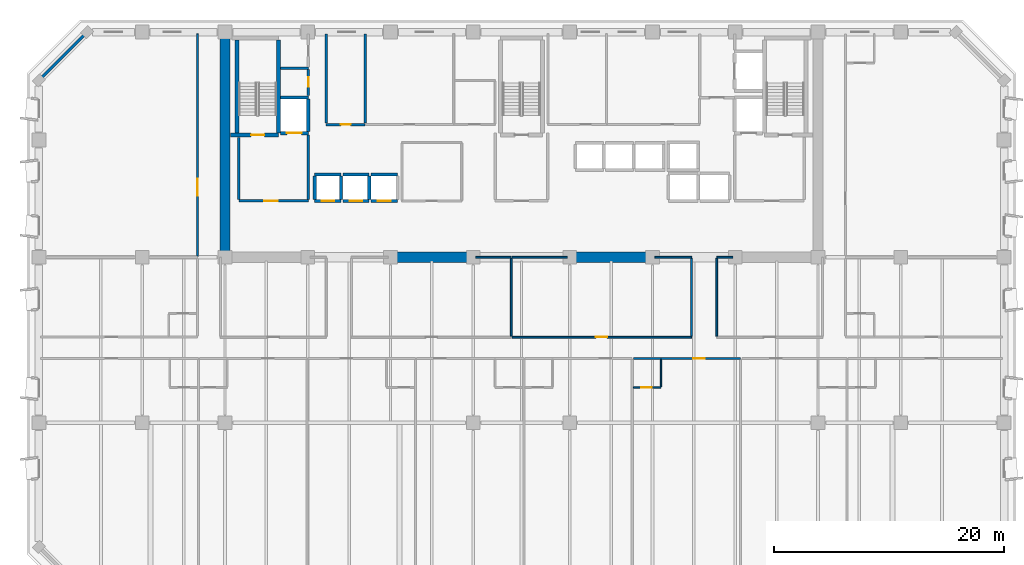
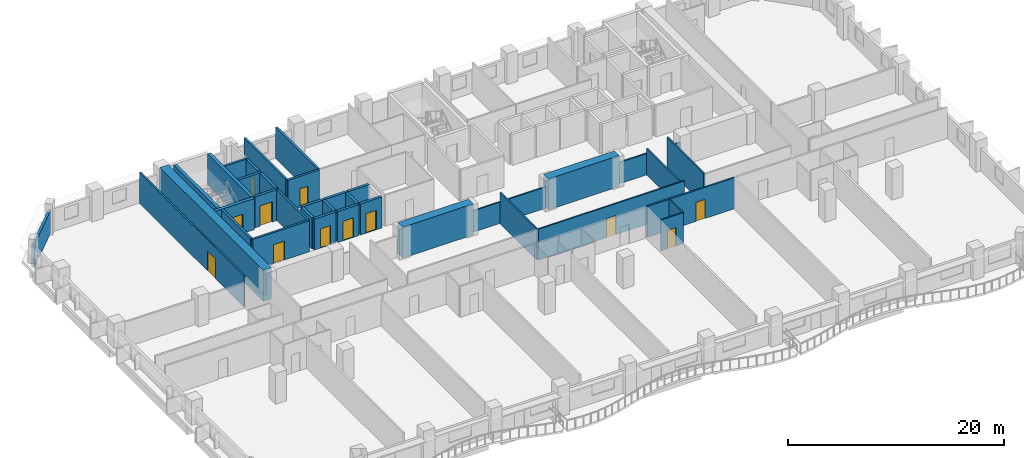
# One storey, part 6 of 14: 39 walls, 12 doors, 12 openings.
"""IFC4 building model written with IfcOpenShell, lengths in metres."""

from ifc_helpers import new_model, si_unit, direction, frame, frame_2d, origin, place, context, subcontext, project, spatial, rectangle, extrude, material, layer, layer_set, type_object, element, fill, save


model = new_model("IFC4")

# Units and contexts
model_context = context("Model", 3, precision=1e-05, world=origin(), true_north=direction((0.0, 1.0)))
body_context = subcontext(model_context, "Body", "Model", "MODEL_VIEW")
ifc_project = project(units=[si_unit("LENGTHUNIT", "METRE"), si_unit("AREAUNIT", "SQUARE_METRE"), si_unit("VOLUMEUNIT", "CUBIC_METRE"), si_unit("PLANEANGLEUNIT", "RADIAN"), si_unit("MASSUNIT", "GRAM", prefix="KILO")], contexts=[model_context])

# Site, building, storey
site_placement = place(None, origin())
site = spatial("IfcSite", under=ifc_project, at=site_placement, CompositionType="ELEMENT")
building_placement = place(site_placement, origin())
building = spatial("IfcBuilding", under=site, at=building_placement, Name="Kaelvorn Grand Hotel", CompositionType="ELEMENT")
storey_placement = place(building_placement, frame((0.0, 0.0, 85.550048828125)))
storey = spatial("IfcBuildingStorey", under=building, at=storey_placement, Name="L19", CompositionType="ELEMENT", Elevation=85.550048828125)

# Walls
ifc_material_1 = material(Name="Concrete C60/75", Category="concrete")
ifc_layer_1 = layer(ifc_material_1, 0.89990234375)
ifc_layer_set_1 = layer_set([ifc_layer_1], Name="Concrete C60/75")
wall_type_1 = type_object("IfcWallType", Name="WL-CORE-900-C60", PredefinedType="SHEAR", material=ifc_layer_set_1)
wall_1_placement = place(storey_placement, frame((16.199951171875, 29.39990234375, 0.0), z_axis=(0.0, 0.0, 1.0), x_axis=(0.0, 1.0, 0.0)))
element("IfcWall", 1, at=wall_1_placement, inside=storey, type_object=wall_type_1, Name="L19 Rear-Core West Shear Wall", PredefinedType="SHEAR", context=body_context, shape_type="SweptSolid", body=[
    extrude(rectangle(XDim=19.2001953125, YDim=0.89990234375, at=frame_2d((9.60009765625, 0.0))), origin(), (0.0, 0.0, 1.0), 3.510009765625),
])
for number, where, z_axis, x_axis, name in (
    (2, (30.39990234375, 29.39990234375, 0.0), (0.0, 0.0, 1.0), (1.0, 0.0, 0.0), "L19 Rear-Core Coupled Shear Pier S2"),
    (3, (46.0, 29.39990234375, 0.0), (0.0, 0.0, 1.0), (1.0, 0.0, 0.0), "L19 Rear-Core Coupled Shear Pier S3"),
):
    element("IfcWall", number, at=place(storey_placement, frame(where, z_axis=z_axis, x_axis=x_axis)), inside=storey, type_object=wall_type_1, Name=name, PredefinedType="SHEAR", context=body_context, shape_type="SweptSolid", body=[
        extrude(rectangle(XDim=7.60009765625, YDim=0.89990234375, at=frame_2d((3.800048828125, 0.0))), origin(), (0.0, 0.0, 1.0), 3.510009765625),
    ])
ifc_material_2 = material(Name="Concrete C40/50", Category="concrete")
ifc_layer_2 = layer(ifc_material_2, 0.260009765625)
ifc_layer_set_2 = layer_set([ifc_layer_2], Name="Concrete C40/50")
wall_type_2 = type_object("IfcWallType", Name="WL-EXT-260-C40", PredefinedType="SOLIDWALL", material=ifc_layer_set_2)
wall_2_placement = place(storey_placement, frame((4.199951171875, 49.0, 0.0), z_axis=(0.0, 0.0, 1.0), x_axis=(-0.707106781187, -0.707106781187, 0.0)))
element("IfcWall", 4, at=wall_2_placement, inside=storey, type_object=wall_type_2, Name="L19 Exterior Architectural Concrete Wall 06", PredefinedType="SOLIDWALL", context=body_context, shape_type="SweptSolid", body=[
    extrude(rectangle(XDim=5.939697265625, YDim=0.260009765625, at=frame_2d((2.9697265625, 0.0))), origin(), (0.0, 0.0, 1.0), 2.56005859375),
])

# Wall, opening, door
ifc_material_3 = material(Name="Moisture-Resistant Tile & Stud Board")
ifc_layer_3 = layer(ifc_material_3, 0.125)
ifc_layer_set_3 = layer_set([ifc_layer_3], Name="Moisture-Resistant Tile & Stud Board")
wall_type_3 = type_object("IfcWallType", Name="WL-PART-125-WET", PredefinedType="PARTITIONING", material=ifc_layer_set_3)
wall_3_placement = place(storey_placement, frame((51.7333984375, 18.050048828125, 0.0), z_axis=(0.0, 0.0, 1.0), x_axis=(1.0, 0.0, 0.0)))
wall_3 = element("IfcWall", 5, at=wall_3_placement, inside=storey, type_object=wall_type_3, Name="L19 En-suite Bathroom L19-06 S Partition", PredefinedType="PARTITIONING", context=body_context, shape_type="SweptSolid", body=[
    extrude(rectangle(XDim=2.405029296875, YDim=0.125, at=frame_2d((1.20263671875, 0.0))), origin(), (0.0, 0.0, 1.0), 3.510009765625),
])
opening_1_placement = place(wall_3_placement, frame((0.705078125, 0.0, 0.0)))
opening_1 = element("IfcOpeningElement", 6, at=opening_1_placement, cuts=wall_3, Name="Opening DI4", PredefinedType="OPENING", context=body_context, shape_type="SweptSolid", body=[
    extrude(rectangle(XDim=0.89990234375, YDim=2.10009765625, at=frame_2d((0.449951171875, 1.050048828125))), frame((0.0, 0.072509765625, 0.0), z_axis=(0.0, -1.0, 0.0), x_axis=(1.0, 0.0, 0.0)), (0.0, 0.0, 1.0), 0.14501953125),
])
ifc_material_4 = material(Name="Timber Veneer Leaf", Category="wood")
door_type_1 = type_object("IfcDoorType", Name="DR-INT-BATH-900x2100", OperationType="NOTDEFINED", PredefinedType="DOOR", material=ifc_material_4)
door_1_placement = place(opening_1_placement, origin())
door_1 = element("IfcDoor", 7, at=door_1_placement, inside=storey, type_object=door_type_1, Name="L19 En-suite Bathroom L19-06 Door", OperationType="SINGLE_SWING_LEFT", OverallHeight=2.10009765625, OverallWidth=0.89990234375, PredefinedType="DOOR", context=body_context, shape_type="SweptSolid", body=[
    extrude(rectangle(XDim=0.89990234375, YDim=2.10009765625, at=frame_2d((0.449951171875, 1.050048828125))), frame((0.0, 0.02490234375, 0.0), z_axis=(0.0, -1.0, 0.0), x_axis=(1.0, 0.0, 0.0)), (0.0, 0.0, 1.0), 0.050048828125),
])
fill(opening_1, door_1)

# Walls
wall_4_placement = place(storey_placement, frame((54.138427734375, 18.117431640625, 0.0), z_axis=(0.0, 0.0, 1.0), x_axis=(0.0, 1.0, 0.0)))
element("IfcWall", 8, at=wall_4_placement, inside=storey, type_object=wall_type_3, Name="L19 En-suite Bathroom L19-06 E Partition", PredefinedType="PARTITIONING", context=body_context, shape_type="SweptSolid", body=[
    extrude(rectangle(XDim=2.387451171875, YDim=0.125, at=frame_2d((1.19384765625, 0.0))), origin(), (0.0, 0.0, 1.0), 3.510009765625),
])
ifc_material_5 = material(Name="Acoustic Gypsum & Stud Partition")
ifc_layer_4 = layer(ifc_material_5, 0.14990234375)
ifc_layer_set_4 = layer_set([ifc_layer_4], Name="Acoustic Gypsum & Stud Partition")
wall_type_4 = type_object("IfcWallType", Name="WL-PART-150-EI60", PredefinedType="PARTITIONING", material=ifc_layer_set_4)
wall_5_placement = place(storey_placement, frame((38.010009765625, 29.39990234375, 0.0), z_axis=(0.0, 0.0, 1.0), x_axis=(1.0, 0.0, 0.0)))
element("IfcWall", 9, at=wall_5_placement, inside=storey, type_object=wall_type_4, Name="L19 Pastry & Tea Kitchen N Partition (2)", PredefinedType="PARTITIONING", context=body_context, shape_type="SweptSolid", body=[
    extrude(rectangle(XDim=3.090087890625, YDim=0.14990234375, at=frame_2d((1.544921875, 0.0))), origin(), (0.0, 0.0, 1.0), 2.409912109375),
])
wall_6_placement = place(storey_placement, frame((41.10009765625, 22.530029296875, 0.0), z_axis=(0.0, 0.0, 1.0), x_axis=(0.0, 1.0, 0.0)))
element("IfcWall", 10, at=wall_6_placement, inside=storey, type_object=wall_type_4, Name="L19 Pastry & Tea Kitchen E Partition", PredefinedType="PARTITIONING", context=body_context, shape_type="SweptSolid", body=[
    extrude(rectangle(XDim=6.7900390625, YDim=0.14990234375, at=frame_2d((3.39501953125, 0.0))), origin(), (0.0, 0.0, 1.0), 3.510009765625),
])

# Wall, opening, door
wall_7_placement = place(storey_placement, frame((41.179931640625, 22.449951171875, 0.0), z_axis=(0.0, 0.0, 1.0), x_axis=(1.0, 0.0, 0.0)))
wall_7 = element("IfcWall", 11, at=wall_7_placement, inside=storey, type_object=wall_type_4, Name="L19 Family Sitting Room S Partition", PredefinedType="PARTITIONING", context=body_context, shape_type="SweptSolid", body=[
    extrude(rectangle(XDim=15.6201171875, YDim=0.14990234375, at=frame_2d((7.81005859375, 0.0))), origin(), (0.0, 0.0, 1.0), 3.510009765625),
])
opening_2_placement = place(wall_7_placement, frame((7.27001953125, 0.0, 0.0)))
opening_2 = element("IfcOpeningElement", 12, at=opening_2_placement, cuts=wall_7, Name="Opening DI3", PredefinedType="OPENING", context=body_context, shape_type="SweptSolid", body=[
    extrude(rectangle(XDim=1.0, YDim=2.14990234375, at=frame_2d((0.5, 1.074951171875))), frame((0.0, 0.0849609375, 0.0), z_axis=(0.0, -1.0, 0.0), x_axis=(1.0, 0.0, 0.0)), (0.0, 0.0, 1.0), 0.169921875),
])
ifc_material_6 = material(Name="Timber Veneer Fire Leaf", Category="wood")
door_type_2 = type_object("IfcDoorType", Name="DR-INT-GUEST-1000x2150", OperationType="NOTDEFINED", PredefinedType="DOOR", material=ifc_material_6)
door_2_placement = place(opening_2_placement, origin())
door_2 = element("IfcDoor", 13, at=door_2_placement, inside=storey, type_object=door_type_2, Name="L19 Family Sitting Room Door", OperationType="SINGLE_SWING_RIGHT", OverallHeight=2.14990234375, OverallWidth=1.0, PredefinedType="DOOR", context=body_context, shape_type="SweptSolid", body=[
    extrude(rectangle(XDim=1.0, YDim=2.14990234375, at=frame_2d((0.5, 1.074951171875))), frame((0.0, 0.02490234375, 0.0), z_axis=(0.0, -1.0, 0.0), x_axis=(1.0, 0.0, 0.0)), (0.0, 0.0, 1.0), 0.050048828125),
])
fill(opening_2, door_2)

# Walls
wall_8_placement = place(storey_placement, frame((41.179931640625, 29.39990234375, 0.0), z_axis=(0.0, 0.0, 1.0), x_axis=(1.0, 0.0, 0.0)))
element("IfcWall", 14, at=wall_8_placement, inside=storey, type_object=wall_type_4, Name="L19 Family Sitting Room N Partition (1)", PredefinedType="PARTITIONING", context=body_context, shape_type="SweptSolid", body=[
    extrude(rectangle(XDim=4.81005859375, YDim=0.14990234375, at=frame_2d((2.405029296875, 0.0))), origin(), (0.0, 0.0, 1.0), 2.409912109375),
])
wall_9_placement = place(storey_placement, frame((53.610107421875, 29.39990234375, 0.0), z_axis=(0.0, 0.0, 1.0), x_axis=(1.0, 0.0, 0.0)))
element("IfcWall", 15, at=wall_9_placement, inside=storey, type_object=wall_type_4, Name="L19 Family Sitting Room N Partition (2)", PredefinedType="PARTITIONING", context=body_context, shape_type="SweptSolid", body=[
    extrude(rectangle(XDim=3.18994140625, YDim=0.14990234375, at=frame_2d((1.594970703125, 0.0))), origin(), (0.0, 0.0, 1.0), 2.409912109375),
])
wall_10_placement = place(storey_placement, frame((56.800048828125, 22.530029296875, 0.0), z_axis=(0.0, 0.0, 1.0), x_axis=(0.0, 1.0, 0.0)))
element("IfcWall", 16, at=wall_10_placement, inside=storey, type_object=wall_type_4, Name="L19 Family Sitting Room E Partition", PredefinedType="PARTITIONING", context=body_context, shape_type="SweptSolid", body=[
    extrude(rectangle(XDim=6.7900390625, YDim=0.14990234375, at=frame_2d((3.39501953125, 0.0))), origin(), (0.0, 0.0, 1.0), 2.976806640625),
])
wall_11_placement = place(storey_placement, frame((59.0, 29.39990234375, 0.0), z_axis=(0.0, 0.0, 1.0), x_axis=(1.0, 0.0, 0.0)))
element("IfcWall", 17, at=wall_11_placement, inside=storey, type_object=wall_type_4, Name="L19 VIP Dining Restaurant N Partition", PredefinedType="PARTITIONING", context=body_context, shape_type="SweptSolid", body=[
    extrude(rectangle(XDim=1.389892578125, YDim=0.14990234375, at=frame_2d((0.69482421875, 0.0))), origin(), (0.0, 0.0, 1.0), 2.409912109375),
])
wall_12_placement = place(storey_placement, frame((59.0, 22.530029296875, 0.0), z_axis=(0.0, 0.0, 1.0), x_axis=(0.0, 1.0, 0.0)))
element("IfcWall", 18, at=wall_12_placement, inside=storey, type_object=wall_type_4, Name="L19 VIP Dining Restaurant W Partition", PredefinedType="PARTITIONING", context=body_context, shape_type="SweptSolid", body=[
    extrude(rectangle(XDim=6.7900390625, YDim=0.14990234375, at=frame_2d((3.39501953125, 0.0))), origin(), (0.0, 0.0, 1.0), 3.510009765625),
])

# Wall, opening, door
wall_13_placement = place(storey_placement, frame((13.800048828125, 29.4951171875, 0.0), z_axis=(0.0, 0.0, 1.0), x_axis=(0.0, 1.0, 0.0)))
wall_13 = element("IfcWall", 19, at=wall_13_placement, inside=storey, type_object=wall_type_4, Name="L19 North-West Family Sitting Room E Partition", PredefinedType="PARTITIONING", context=body_context, shape_type="SweptSolid", body=[
    extrude(rectangle(XDim=19.35498046875, YDim=0.14990234375, at=frame_2d((9.677490234375, 0.0))), origin(), (0.0, 0.0, 1.0), 3.510009765625),
])
opening_3_placement = place(wall_13_placement, frame((5.2548828125, 0.0, 0.0)))
opening_3 = element("IfcOpeningElement", 20, at=opening_3_placement, cuts=wall_13, Name="Opening DI5", PredefinedType="OPENING", context=body_context, shape_type="SweptSolid", body=[
    extrude(rectangle(XDim=1.5, YDim=2.25, at=frame_2d((0.75, 1.125))), frame((0.0, 0.0849609375, 0.0), z_axis=(0.0, -1.0, 0.0), x_axis=(1.0, 0.0, 0.0)), (0.0, 0.0, 1.0), 0.169921875),
])
door_type_3 = type_object("IfcDoorType", Name="DR-INT-SALON-1500x2250", OperationType="DOUBLE_DOOR_SINGLE_SWING", PredefinedType="DOOR", material=ifc_material_6)
door_3_placement = place(opening_3_placement, origin())
door_3 = element("IfcDoor", 21, at=door_3_placement, inside=storey, type_object=door_type_3, Name="L19 North-West Family Sitting Room Door", OperationType="DOUBLE_DOOR_SINGLE_SWING", OverallHeight=2.25, OverallWidth=1.5, PredefinedType="DOOR", context=body_context, shape_type="SweptSolid", body=[
    extrude(rectangle(XDim=1.5, YDim=2.25, at=frame_2d((0.75, 1.125))), frame((0.0, 0.02490234375, 0.0), z_axis=(0.0, -1.0, 0.0), x_axis=(1.0, 0.0, 0.0)), (0.0, 0.0, 1.0), 0.050048828125),
])
fill(opening_3, door_3)

ifc_layer_5 = layer(ifc_material_5, 0.179931640625)
ifc_layer_set_5 = layer_set([ifc_layer_5], Name="Acoustic Gypsum & Stud Partition")
wall_type_5 = type_object("IfcWallType", Name="WL-PART-180-EI60", PredefinedType="PARTITIONING", material=ifc_layer_set_5)
wall_14_placement = place(storey_placement, frame((51.7333984375, 20.60009765625, 0.0), z_axis=(0.0, 0.0, 1.0), x_axis=(1.0, 0.0, 0.0)))
wall_14 = element("IfcWall", 22, at=wall_14_placement, inside=storey, type_object=wall_type_5, Name="L19 Deluxe Panoramic Suite L19-06 N Partition", PredefinedType="PARTITIONING", context=body_context, shape_type="SweptSolid", body=[
    extrude(rectangle(XDim=9.3427734375, YDim=0.179931640625, at=frame_2d((4.67138671875, 0.0))), origin(), (0.0, 0.0, 1.0), 3.510009765625),
])
opening_4_placement = place(wall_14_placement, frame((5.19580078125, 0.0, 0.0)))
opening_4 = element("IfcOpeningElement", 23, at=opening_4_placement, cuts=wall_14, Name="Opening DI3", PredefinedType="OPENING", context=body_context, shape_type="SweptSolid", body=[
    extrude(rectangle(XDim=1.0, YDim=2.14990234375, at=frame_2d((0.5, 1.074951171875))), frame((0.0, 0.10009765625, 0.0), z_axis=(0.0, -1.0, 0.0), x_axis=(1.0, 0.0, 0.0)), (0.0, 0.0, 1.0), 0.199951171875),
])
door_4_placement = place(opening_4_placement, origin())
door_4 = element("IfcDoor", 24, at=door_4_placement, inside=storey, type_object=door_type_2, Name="L19 Deluxe Panoramic Suite L19-06 Door", OperationType="SINGLE_SWING_RIGHT", OverallHeight=2.14990234375, OverallWidth=1.0, PredefinedType="DOOR", context=body_context, shape_type="SweptSolid", body=[
    extrude(rectangle(XDim=1.0, YDim=2.14990234375, at=frame_2d((0.5, 1.074951171875))), frame((0.0, 0.02490234375, 0.0), z_axis=(0.0, -1.0, 0.0), x_axis=(1.0, 0.0, 0.0)), (0.0, 0.0, 1.0), 0.050048828125),
])
fill(opening_4, door_4)

ifc_layer_6 = layer(ifc_material_2, 0.219970703125)
ifc_layer_set_6 = layer_set([ifc_layer_6], Name="Concrete C40/50")
wall_type_6 = type_object("IfcWallType", Name="WL-PART-220-EI120", PredefinedType="PARTITIONING", material=ifc_layer_set_6)
wall_15_placement = place(storey_placement, frame((17.39990234375, 34.300048828125, 0.0), z_axis=(0.0, 0.0, 1.0), x_axis=(1.0, 0.0, 0.0)))
wall_15 = element("IfcWall", 25, at=wall_15_placement, inside=storey, type_object=wall_type_6, Name="L19 Firefighting Lift Lobby 1 S Partition", PredefinedType="PARTITIONING", context=body_context, shape_type="SweptSolid", body=[
    extrude(rectangle(XDim=6.050048828125, YDim=0.219970703125, at=frame_2d((3.02490234375, 0.0))), origin(), (0.0, 0.0, 1.0), 3.510009765625),
])
opening_5_placement = place(wall_15_placement, frame((2.199951171875, 0.0, 0.0)))
opening_5 = element("IfcOpeningElement", 26, at=opening_5_placement, cuts=wall_15, Name="Opening DI2", PredefinedType="OPENING", context=body_context, shape_type="SweptSolid", body=[
    extrude(rectangle(XDim=1.199951171875, YDim=2.14990234375, at=frame_2d((0.60009765625, 1.074951171875))), frame((0.0, 0.1201171875, 0.0), z_axis=(0.0, -1.0, 0.0), x_axis=(1.0, 0.0, 0.0)), (0.0, 0.0, 1.0), 0.239990234375),
])
door_type_4 = type_object("IfcDoorType", Name="DR-INT-FFLOB-1200x2150", OperationType="NOTDEFINED", PredefinedType="DOOR", material=ifc_material_6)
door_5_placement = place(opening_5_placement, origin())
door_5 = element("IfcDoor", 27, at=door_5_placement, inside=storey, type_object=door_type_4, Name="L19 Firefighting Lift Lobby 1 Door", OperationType="SINGLE_SWING_RIGHT", OverallHeight=2.14990234375, OverallWidth=1.199951171875, PredefinedType="DOOR", context=body_context, shape_type="SweptSolid", body=[
    extrude(rectangle(XDim=1.199951171875, YDim=2.14990234375, at=frame_2d((0.60009765625, 1.074951171875))), frame((0.0, 0.02490234375, 0.0), z_axis=(0.0, -1.0, 0.0), x_axis=(1.0, 0.0, 0.0)), (0.0, 0.0, 1.0), 0.050048828125),
])
fill(opening_5, door_5)

# Walls
wall_16_placement = place(storey_placement, frame((17.39990234375, 34.4150390625, 0.0), z_axis=(0.0, 0.0, 1.0), x_axis=(0.0, 1.0, 0.0)))
element("IfcWall", 28, at=wall_16_placement, inside=storey, type_object=wall_type_6, Name="L19 Firefighting Lift Lobby 1 W Partition", PredefinedType="PARTITIONING", context=body_context, shape_type="SweptSolid", body=[
    extrude(rectangle(XDim=5.429931640625, YDim=0.219970703125, at=frame_2d((2.71484375, 0.0))), origin(), (0.0, 0.0, 1.0), 3.510009765625),
])
wall_17_placement = place(storey_placement, frame((23.449951171875, 34.4150390625, 0.0), z_axis=(0.0, 0.0, 1.0), x_axis=(0.0, 1.0, 0.0)))
element("IfcWall", 29, at=wall_17_placement, inside=storey, type_object=wall_type_6, Name="L19 Firefighting Lift Lobby 1 E Partition", PredefinedType="PARTITIONING", context=body_context, shape_type="SweptSolid", body=[
    extrude(rectangle(XDim=5.639892578125, YDim=0.219970703125, at=frame_2d((2.81982421875, 0.0))), origin(), (0.0, 0.0, 1.0), 3.510009765625),
])
wall_18_placement = place(storey_placement, frame((21.034912109375, 45.85009765625, 0.0), z_axis=(0.0, 0.0, 1.0), x_axis=(1.0, 0.0, 0.0)))
element("IfcWall", 30, at=wall_18_placement, inside=storey, type_object=wall_type_6, Name="L19 Wet Fire & Plumbing Riser Shaft N Partition", PredefinedType="PARTITIONING", context=body_context, shape_type="SweptSolid", body=[
    extrude(rectangle(XDim=2.4150390625, YDim=0.219970703125, at=frame_2d((1.20751953125, 0.0))), origin(), (0.0, 0.0, 1.0), 3.510009765625),
])

# Wall, opening, door
wall_19_placement = place(storey_placement, frame((23.449951171875, 43.5, 0.0), z_axis=(0.0, 0.0, 1.0), x_axis=(0.0, 1.0, 0.0)))
wall_19 = element("IfcWall", 31, at=wall_19_placement, inside=storey, type_object=wall_type_6, Name="L19 Wet Fire & Plumbing Riser Shaft E Partition", PredefinedType="PARTITIONING", context=body_context, shape_type="SweptSolid", body=[
    extrude(rectangle(XDim=2.235107421875, YDim=0.219970703125, at=frame_2d((1.11767578125, 0.0))), origin(), (0.0, 0.0, 1.0), 3.510009765625),
])
opening_6_placement = place(wall_19_placement, frame((0.72509765625, 0.0, 0.0)))
opening_6 = element("IfcOpeningElement", 32, at=opening_6_placement, cuts=wall_19, Name="Opening DI7", PredefinedType="OPENING", context=body_context, shape_type="SweptSolid", body=[
    extrude(rectangle(XDim=0.85009765625, YDim=2.10009765625, at=frame_2d((0.425048828125, 1.050048828125))), frame((0.0, 0.1201171875, 0.0), z_axis=(0.0, -1.0, 0.0), x_axis=(1.0, 0.0, 0.0)), (0.0, 0.0, 1.0), 0.239990234375),
])
ifc_material_7 = material(Name="Powder-Coated Steel Leaf", Category="steel")
door_type_5 = type_object("IfcDoorType", Name="DR-INT-RISER-850x2100", OperationType="NOTDEFINED", PredefinedType="DOOR", material=ifc_material_7)
door_6_placement = place(opening_6_placement, origin())
door_6 = element("IfcDoor", 33, at=door_6_placement, inside=storey, type_object=door_type_5, Name="L19 Wet Fire & Plumbing Riser Shaft Door", OperationType="SINGLE_SWING_RIGHT", OverallHeight=2.10009765625, OverallWidth=0.85009765625, PredefinedType="DOOR", context=body_context, shape_type="SweptSolid", body=[
    extrude(rectangle(XDim=0.85009765625, YDim=2.10009765625, at=frame_2d((0.425048828125, 1.050048828125))), frame((0.0, 0.02490234375, 0.0), z_axis=(0.0, -1.0, 0.0), x_axis=(1.0, 0.0, 0.0)), (0.0, 0.0, 1.0), 0.050048828125),
])
fill(opening_6, door_6)

wall_20_placement = place(storey_placement, frame((25.0, 40.949951171875, 0.0), z_axis=(0.0, 0.0, 1.0), x_axis=(1.0, 0.0, 0.0)))
wall_20 = element("IfcWall", 34, at=wall_20_placement, inside=storey, type_object=wall_type_6, Name="L19 Electrical Distribution Room S Partition", PredefinedType="PARTITIONING", context=body_context, shape_type="SweptSolid", body=[
    extrude(rectangle(XDim=3.39990234375, YDim=0.219970703125, at=frame_2d((1.699951171875, 0.0))), origin(), (0.0, 0.0, 1.0), 3.510009765625),
])
opening_7_placement = place(wall_20_placement, frame((1.27490234375, 0.0, 0.0)))
opening_7 = element("IfcOpeningElement", 35, at=opening_7_placement, cuts=wall_20, Name="Opening DI7", PredefinedType="OPENING", context=body_context, shape_type="SweptSolid", body=[
    extrude(rectangle(XDim=0.85009765625, YDim=2.10009765625, at=frame_2d((0.425048828125, 1.050048828125))), frame((0.0, 0.1201171875, 0.0), z_axis=(0.0, -1.0, 0.0), x_axis=(1.0, 0.0, 0.0)), (0.0, 0.0, 1.0), 0.239990234375),
])
door_7_placement = place(opening_7_placement, origin())
door_7 = element("IfcDoor", 36, at=door_7_placement, inside=storey, type_object=door_type_5, Name="L19 Electrical Distribution Room Door", OperationType="SINGLE_SWING_LEFT", OverallHeight=2.10009765625, OverallWidth=0.85009765625, PredefinedType="DOOR", context=body_context, shape_type="SweptSolid", body=[
    extrude(rectangle(XDim=0.85009765625, YDim=2.10009765625, at=frame_2d((0.425048828125, 1.050048828125))), frame((0.0, 0.02490234375, 0.0), z_axis=(0.0, -1.0, 0.0), x_axis=(1.0, 0.0, 0.0)), (0.0, 0.0, 1.0), 0.050048828125),
])
fill(opening_7, door_7)

# Walls
for number, where, z_axis, x_axis, name in (
    (37, (25.0, 41.06494140625, 0.0), (0.0, 0.0, 1.0), (0.0, 1.0, 0.0), "L19 Electrical Distribution Room W Partition"),
    (38, (28.39990234375, 41.06494140625, 0.0), (0.0, 0.0, 1.0), (0.0, 1.0, 0.0), "L19 Electrical Distribution Room E Partition"),
):
    element("IfcWall", number, at=place(storey_placement, frame(where, z_axis=z_axis, x_axis=x_axis)), inside=storey, type_object=wall_type_6, Name=name, PredefinedType="PARTITIONING", context=body_context, shape_type="SweptSolid", body=[
        extrude(rectangle(XDim=7.78515625, YDim=0.219970703125, at=frame_2d((3.892578125, 0.0))), origin(), (0.0, 0.0, 1.0), 3.510009765625),
    ])

# Wall, opening, door
ifc_material_8 = material(Name="Concrete C50/60", Category="concrete")
ifc_layer_7 = layer(ifc_material_8, 0.280029296875)
ifc_layer_set_7 = layer_set([ifc_layer_7], Name="Concrete C50/60")
wall_type_7 = type_object("IfcWallType", Name="WL-SHAFT-280-C50", PredefinedType="SHEAR", material=ifc_layer_set_7)
wall_21_placement = place(storey_placement, frame((24.0, 34.300048828125, 0.0), z_axis=(0.0, 0.0, 1.0), x_axis=(1.0, 0.0, 0.0)))
wall_21 = element("IfcWall", 39, at=wall_21_placement, inside=storey, type_object=wall_type_7, Name="L19 Lift PL-L1 Shaft South Wall", PredefinedType="SHEAR", context=body_context, shape_type="SweptSolid", body=[
    extrude(rectangle(XDim=2.300048828125, YDim=0.280029296875, at=frame_2d((1.14990234375, 0.0))), origin(), (0.0, 0.0, 1.0), 3.510009765625),
])
opening_8_placement = place(wall_21_placement, frame((0.60009765625, 0.0, 0.0)))
opening_8 = element("IfcOpeningElement", 40, at=opening_8_placement, cuts=wall_21, Name="Opening LD-PL-L1", PredefinedType="OPENING", context=body_context, shape_type="SweptSolid", body=[
    extrude(rectangle(XDim=1.10009765625, YDim=2.199951171875, at=frame_2d((0.550048828125, 1.10009765625))), frame((0.0, 0.14990234375, 0.0), z_axis=(0.0, -1.0, 0.0), x_axis=(1.0, 0.0, 0.0)), (0.0, 0.0, 1.0), 0.300048828125),
])
ifc_material_9 = material(Name="Stainless Steel", Category="steel")
door_type_6 = type_object("IfcDoorType", Name="DR-LIFT-PASS-1100x2200", OperationType="DOUBLE_DOOR_SLIDING", PredefinedType="DOOR", material=ifc_material_9)
door_8_placement = place(opening_8_placement, origin())
door_8 = element("IfcDoor", 41, at=door_8_placement, inside=storey, type_object=door_type_6, Name="L19 Lift PL-L1 Sliding Landing Door LD-PL-L1", OperationType="DOUBLE_DOOR_SLIDING", OverallHeight=2.199951171875, OverallWidth=1.10009765625, PredefinedType="DOOR", context=body_context, shape_type="SweptSolid", body=[
    extrude(rectangle(XDim=1.10009765625, YDim=2.199951171875, at=frame_2d((0.550048828125, 1.10009765625))), frame((0.0, 0.02490234375, 0.0), z_axis=(0.0, -1.0, 0.0), x_axis=(1.0, 0.0, 0.0)), (0.0, 0.0, 1.0), 0.050048828125),
])
fill(opening_8, door_8)

# Walls
wall_22_placement = place(storey_placement, frame((24.0, 36.60009765625, 0.0), z_axis=(0.0, 0.0, 1.0), x_axis=(1.0, 0.0, 0.0)))
element("IfcWall", 42, at=wall_22_placement, inside=storey, type_object=wall_type_7, Name="L19 Lift PL-L1 Shaft North Wall", PredefinedType="SHEAR", context=body_context, shape_type="SweptSolid", body=[
    extrude(rectangle(XDim=2.300048828125, YDim=0.280029296875, at=frame_2d((1.14990234375, 0.0))), origin(), (0.0, 0.0, 1.0), 3.510009765625),
])
for number, where, z_axis, x_axis, name in (
    (43, (24.0, 34.445068359375, 0.0), (0.0, 0.0, 1.0), (0.0, 1.0, 0.0), "L19 Lift PL-L1 Shaft West Wall"),
    (44, (26.300048828125, 34.445068359375, 0.0), (0.0, 0.0, 1.0), (0.0, 1.0, 0.0), "L19 Lift PL-L1 Shaft East Wall"),
):
    element("IfcWall", number, at=place(storey_placement, frame(where, z_axis=z_axis, x_axis=x_axis)), inside=storey, type_object=wall_type_7, Name=name, PredefinedType="SHEAR", context=body_context, shape_type="SweptSolid", body=[
        extrude(rectangle(XDim=2.010009765625, YDim=0.280029296875, at=frame_2d((1.0048828125, 0.0))), origin(), (0.0, 0.0, 1.0), 3.510009765625),
    ])

# Wall, opening, door
wall_23_placement = place(storey_placement, frame((26.449951171875, 34.300048828125, 0.0), z_axis=(0.0, 0.0, 1.0), x_axis=(1.0, 0.0, 0.0)))
wall_23 = element("IfcWall", 45, at=wall_23_placement, inside=storey, type_object=wall_type_7, Name="L19 Lift PL-L2 Shaft South Wall", PredefinedType="SHEAR", context=body_context, shape_type="SweptSolid", body=[
    extrude(rectangle(XDim=2.300048828125, YDim=0.280029296875, at=frame_2d((1.14990234375, 0.0))), origin(), (0.0, 0.0, 1.0), 3.510009765625),
])
opening_9_placement = place(wall_23_placement, frame((0.60009765625, 0.0, 0.0)))
opening_9 = element("IfcOpeningElement", 46, at=opening_9_placement, cuts=wall_23, Name="Opening LD-PL-L2", PredefinedType="OPENING", context=body_context, shape_type="SweptSolid", body=[
    extrude(rectangle(XDim=1.10009765625, YDim=2.199951171875, at=frame_2d((0.550048828125, 1.10009765625))), frame((0.0, 0.14990234375, 0.0), z_axis=(0.0, -1.0, 0.0), x_axis=(1.0, 0.0, 0.0)), (0.0, 0.0, 1.0), 0.300048828125),
])
door_9_placement = place(opening_9_placement, origin())
door_9 = element("IfcDoor", 47, at=door_9_placement, inside=storey, type_object=door_type_6, Name="L19 Lift PL-L2 Sliding Landing Door LD-PL-L2", OperationType="DOUBLE_DOOR_SLIDING", OverallHeight=2.199951171875, OverallWidth=1.10009765625, PredefinedType="DOOR", context=body_context, shape_type="SweptSolid", body=[
    extrude(rectangle(XDim=1.10009765625, YDim=2.199951171875, at=frame_2d((0.550048828125, 1.10009765625))), frame((0.0, 0.02490234375, 0.0), z_axis=(0.0, -1.0, 0.0), x_axis=(1.0, 0.0, 0.0)), (0.0, 0.0, 1.0), 0.050048828125),
])
fill(opening_9, door_9)

# Walls
wall_24_placement = place(storey_placement, frame((26.449951171875, 36.60009765625, 0.0), z_axis=(0.0, 0.0, 1.0), x_axis=(1.0, 0.0, 0.0)))
element("IfcWall", 48, at=wall_24_placement, inside=storey, type_object=wall_type_7, Name="L19 Lift PL-L2 Shaft North Wall", PredefinedType="SHEAR", context=body_context, shape_type="SweptSolid", body=[
    extrude(rectangle(XDim=2.300048828125, YDim=0.280029296875, at=frame_2d((1.14990234375, 0.0))), origin(), (0.0, 0.0, 1.0), 3.510009765625),
])
wall_25_placement = place(storey_placement, frame((28.75, 34.445068359375, 0.0), z_axis=(0.0, 0.0, 1.0), x_axis=(0.0, 1.0, 0.0)))
element("IfcWall", 49, at=wall_25_placement, inside=storey, type_object=wall_type_7, Name="L19 Lift PL-L2 Shaft East Wall", PredefinedType="SHEAR", context=body_context, shape_type="SweptSolid", body=[
    extrude(rectangle(XDim=2.010009765625, YDim=0.280029296875, at=frame_2d((1.0048828125, 0.0))), origin(), (0.0, 0.0, 1.0), 3.510009765625),
])

# Wall, opening, door
wall_26_placement = place(storey_placement, frame((28.89990234375, 34.300048828125, 0.0), z_axis=(0.0, 0.0, 1.0), x_axis=(1.0, 0.0, 0.0)))
wall_26 = element("IfcWall", 50, at=wall_26_placement, inside=storey, type_object=wall_type_7, Name="L19 Lift PL-L3 Shaft South Wall", PredefinedType="SHEAR", context=body_context, shape_type="SweptSolid", body=[
    extrude(rectangle(XDim=2.300048828125, YDim=0.280029296875, at=frame_2d((1.14990234375, 0.0))), origin(), (0.0, 0.0, 1.0), 3.510009765625),
])
opening_10_placement = place(wall_26_placement, frame((0.60009765625, 0.0, 0.0)))
opening_10 = element("IfcOpeningElement", 51, at=opening_10_placement, cuts=wall_26, Name="Opening LD-PL-L3", PredefinedType="OPENING", context=body_context, shape_type="SweptSolid", body=[
    extrude(rectangle(XDim=1.10009765625, YDim=2.199951171875, at=frame_2d((0.550048828125, 1.10009765625))), frame((0.0, 0.14990234375, 0.0), z_axis=(0.0, -1.0, 0.0), x_axis=(1.0, 0.0, 0.0)), (0.0, 0.0, 1.0), 0.300048828125),
])
door_10_placement = place(opening_10_placement, origin())
door_10 = element("IfcDoor", 52, at=door_10_placement, inside=storey, type_object=door_type_6, Name="L19 Lift PL-L3 Sliding Landing Door LD-PL-L3", OperationType="DOUBLE_DOOR_SLIDING", OverallHeight=2.199951171875, OverallWidth=1.10009765625, PredefinedType="DOOR", context=body_context, shape_type="SweptSolid", body=[
    extrude(rectangle(XDim=1.10009765625, YDim=2.199951171875, at=frame_2d((0.550048828125, 1.10009765625))), frame((0.0, 0.02490234375, 0.0), z_axis=(0.0, -1.0, 0.0), x_axis=(1.0, 0.0, 0.0)), (0.0, 0.0, 1.0), 0.050048828125),
])
fill(opening_10, door_10)

# Wall
wall_27_placement = place(storey_placement, frame((28.89990234375, 36.60009765625, 0.0), z_axis=(0.0, 0.0, 1.0), x_axis=(1.0, 0.0, 0.0)))
element("IfcWall", 53, at=wall_27_placement, inside=storey, type_object=wall_type_7, Name="L19 Lift PL-L3 Shaft North Wall", PredefinedType="SHEAR", context=body_context, shape_type="SweptSolid", body=[
    extrude(rectangle(XDim=2.300048828125, YDim=0.280029296875, at=frame_2d((1.14990234375, 0.0))), origin(), (0.0, 0.0, 1.0), 3.510009765625),
])

# Wall, opening, door
wall_28_placement = place(storey_placement, frame((21.034912109375, 40.199951171875, 0.0), z_axis=(0.0, 0.0, 1.0), x_axis=(1.0, 0.0, 0.0)))
wall_28 = element("IfcWall", 54, at=wall_28_placement, inside=storey, type_object=wall_type_7, Name="L19 Lift FFL1 Shaft South Wall", PredefinedType="SHEAR", context=body_context, shape_type="SweptSolid", body=[
    extrude(rectangle(XDim=2.4150390625, YDim=0.280029296875, at=frame_2d((1.20751953125, 0.0))), origin(), (0.0, 0.0, 1.0), 3.510009765625),
])
opening_11_placement = place(wall_28_placement, frame((0.5400390625, 0.0, 0.0)))
opening_11 = element("IfcOpeningElement", 55, at=opening_11_placement, cuts=wall_28, Name="Opening LD-FFL1", PredefinedType="OPENING", context=body_context, shape_type="SweptSolid", body=[
    extrude(rectangle(XDim=1.300048828125, YDim=2.300048828125, at=frame_2d((0.64990234375, 1.14990234375))), frame((0.0, 0.14990234375, 0.0), z_axis=(0.0, -1.0, 0.0), x_axis=(1.0, 0.0, 0.0)), (0.0, 0.0, 1.0), 0.300048828125),
])
door_type_7 = type_object("IfcDoorType", Name="DR-LIFT-SERV-1300x2300", OperationType="DOUBLE_DOOR_SLIDING", PredefinedType="DOOR", material=ifc_material_9)
door_11_placement = place(opening_11_placement, origin())
door_11 = element("IfcDoor", 56, at=door_11_placement, inside=storey, type_object=door_type_7, Name="L19 Lift FFL1 Sliding Landing Door LD-FFL1", OperationType="DOUBLE_DOOR_SLIDING", OverallHeight=2.300048828125, OverallWidth=1.300048828125, PredefinedType="DOOR", context=body_context, shape_type="SweptSolid", body=[
    extrude(rectangle(XDim=1.300048828125, YDim=2.300048828125, at=frame_2d((0.64990234375, 1.14990234375))), frame((0.0, 0.02490234375, 0.0), z_axis=(0.0, -1.0, 0.0), x_axis=(1.0, 0.0, 0.0)), (0.0, 0.0, 1.0), 0.050048828125),
])
fill(opening_11, door_11)

# Walls
wall_29_placement = place(storey_placement, frame((21.034912109375, 43.300048828125, 0.0), z_axis=(0.0, 0.0, 1.0), x_axis=(1.0, 0.0, 0.0)))
element("IfcWall", 57, at=wall_29_placement, inside=storey, type_object=wall_type_7, Name="L19 Lift FFL1 Shaft North Wall", PredefinedType="SHEAR", context=body_context, shape_type="SweptSolid", body=[
    extrude(rectangle(XDim=2.4150390625, YDim=0.280029296875, at=frame_2d((1.20751953125, 0.0))), origin(), (0.0, 0.0, 1.0), 3.510009765625),
])
wall_30_placement = place(storey_placement, frame((23.449951171875, 40.344970703125, 0.0), z_axis=(0.0, 0.0, 1.0), x_axis=(0.0, 1.0, 0.0)))
element("IfcWall", 58, at=wall_30_placement, inside=storey, type_object=wall_type_7, Name="L19 Lift FFL1 Shaft East Wall", PredefinedType="SHEAR", context=body_context, shape_type="SweptSolid", body=[
    extrude(rectangle(XDim=2.81005859375, YDim=0.280029296875, at=frame_2d((1.405029296875, 0.0))), origin(), (0.0, 0.0, 1.0), 3.510009765625),
])

# Wall, opening, door
ifc_layer_8 = layer(ifc_material_1, 0.35009765625)
ifc_layer_set_8 = layer_set([ifc_layer_8], Name="Concrete C60/75")
wall_type_8 = type_object("IfcWallType", Name="WL-SHAFT-350-C60", PredefinedType="SHEAR", material=ifc_layer_set_8)
wall_31_placement = place(storey_placement, frame((16.655029296875, 40.02490234375, 0.0), z_axis=(0.0, 0.0, 1.0), x_axis=(1.0, 0.0, 0.0)))
wall_31 = element("IfcWall", 59, at=wall_31_placement, inside=storey, type_object=wall_type_8, Name="L19 ST1 Stair Shaft South Wall", PredefinedType="SHEAR", context=body_context, shape_type="SweptSolid", body=[
    extrude(rectangle(XDim=4.199951171875, YDim=0.35009765625, at=frame_2d((2.10009765625, 0.0))), origin(), (0.0, 0.0, 1.0), 3.510009765625),
])
opening_12_placement = place(wall_31_placement, frame((1.81005859375, 0.0, 0.0)))
opening_12 = element("IfcOpeningElement", 60, at=opening_12_placement, cuts=wall_31, Name="Opening DI1", PredefinedType="OPENING", context=body_context, shape_type="SweptSolid", body=[
    extrude(rectangle(XDim=1.14990234375, YDim=2.14990234375, at=frame_2d((0.574951171875, 1.074951171875))), frame((0.0, 0.18505859375, 0.0), z_axis=(0.0, -1.0, 0.0), x_axis=(1.0, 0.0, 0.0)), (0.0, 0.0, 1.0), 0.3701171875),
])
door_type_8 = type_object("IfcDoorType", Name="DR-INT-STAIR-1150x2150", OperationType="NOTDEFINED", PredefinedType="DOOR", material=ifc_material_6)
door_12_placement = place(opening_12_placement, origin())
door_12 = element("IfcDoor", 61, at=door_12_placement, inside=storey, type_object=door_type_8, Name="L19 ST1 Exit Stair Fire Door", OperationType="SINGLE_SWING_LEFT", OverallHeight=2.14990234375, OverallWidth=1.14990234375, PredefinedType="DOOR", context=body_context, shape_type="SweptSolid", body=[
    extrude(rectangle(XDim=1.14990234375, YDim=2.14990234375, at=frame_2d((0.574951171875, 1.074951171875))), frame((0.0, 0.02490234375, 0.0), z_axis=(0.0, -1.0, 0.0), x_axis=(1.0, 0.0, 0.0)), (0.0, 0.0, 1.0), 0.050048828125),
])
fill(opening_12, door_12)

# Walls
for number, where, z_axis, x_axis, name in (
    (62, (17.22509765625, 40.205078125, 0.0), (0.0, 0.0, 1.0), (0.0, 1.0, 0.0), "L19 ST1 Stair Shaft West Wall"),
    (63, (20.85498046875, 40.205078125, 0.0), (0.0, 0.0, 1.0), (0.0, 1.0, 0.0), "L19 ST1 Stair Shaft East Wall"),
):
    element("IfcWall", number, at=place(storey_placement, frame(where, z_axis=z_axis, x_axis=x_axis)), inside=storey, type_object=wall_type_8, Name=name, PredefinedType="SHEAR", context=body_context, shape_type="SweptSolid", body=[
        extrude(rectangle(XDim=8.08984375, YDim=0.35009765625, at=frame_2d((4.044921875, 0.0))), origin(), (0.0, 0.0, 1.0), 3.510009765625),
    ])

save(model, "model.ifc")
